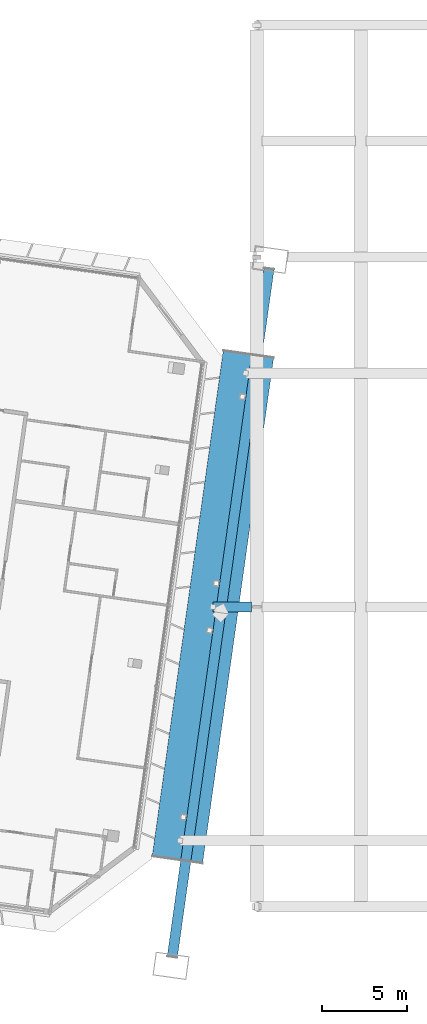
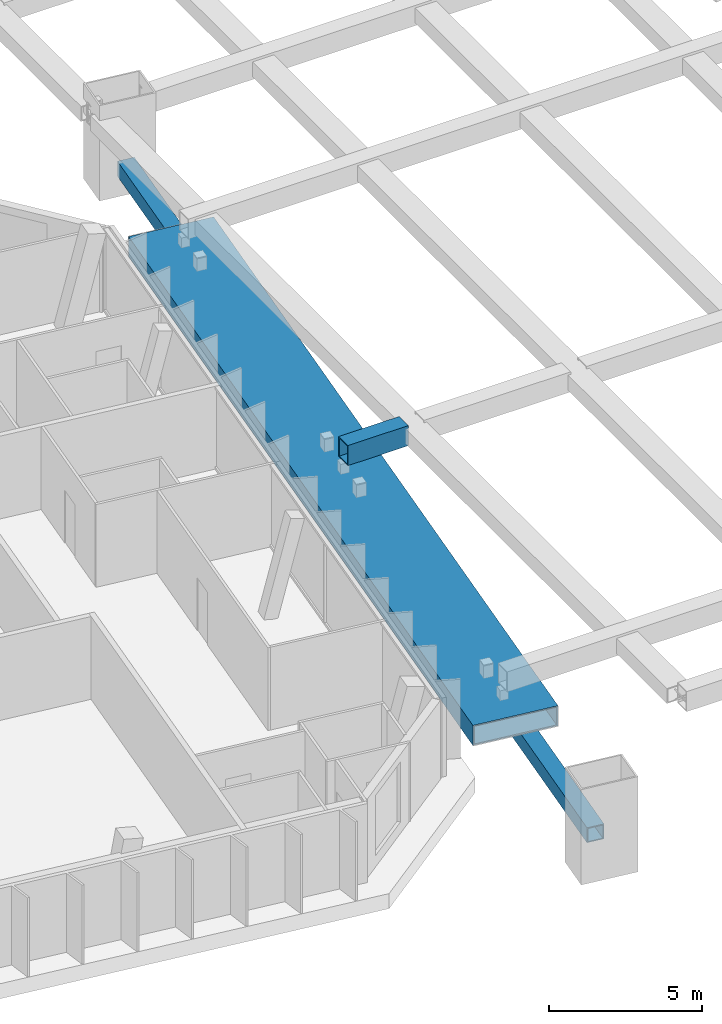
# One storey, part 7 of 36: 2 members, 1 beam.
"""IFC4 building model written with IfcOpenShell, lengths in metres."""

from ifc_helpers import new_model, si_unit, direction, frame, origin, origin_2d, place, context, subcontext, project, spatial, hollow_rectangle, extrude, material, material_profile, profile_set, type_object, element, save


model = new_model("IFC4")

# Units and contexts
model_context = context("Model", 3, precision=1e-05, world=origin(), true_north=direction((0.0, 1.0)))
body_context = subcontext(model_context, "Body", "Model", "MODEL_VIEW")
ifc_project = project(units=[si_unit("LENGTHUNIT", "METRE"), si_unit("AREAUNIT", "SQUARE_METRE"), si_unit("VOLUMEUNIT", "CUBIC_METRE"), si_unit("PLANEANGLEUNIT", "RADIAN"), si_unit("MASSUNIT", "GRAM", prefix="KILO")], contexts=[model_context])

# Site, building, storey
site_placement = place(None, origin())
site = spatial("IfcSite", under=ifc_project, at=site_placement, CompositionType="ELEMENT")
building_placement = place(site_placement, origin())
building = spatial("IfcBuilding", under=site, at=building_placement, Name="Mirante Cascada Hotel Towers", CompositionType="ELEMENT")
storey_placement = place(building_placement, frame((0.0, 0.0, 254.6)))
storey = spatial("IfcBuildingStorey", under=building, at=storey_placement, Name="L61", CompositionType="ELEMENT", Elevation=254.6)

# Members
ifc_material_1 = material(Name="Steel ASTM A572 Gr 50", Category="steel")
ifc_material_profile_1 = material_profile(ifc_material_1, hollow_rectangle(XDim=0.6, YDim=0.6, WallThickness=0.04, at=origin_2d()), Name="Box chord 600x600x40 ASTM A572 Gr 50")
ifc_profile_set_1 = profile_set([ifc_material_profile_1], Name="Steel ASTM A572 Gr 50")
member_type_1 = type_object("IfcMemberType", Name="Box chord 600x600x40 ASTM A572 Gr 50", PredefinedType="CHORD", material=ifc_profile_set_1)
member_1_placement = place(storey_placement, frame((-17.2227, -24.4669, 1.0), z_axis=(0.1391719, 0.9902682, 0.0), x_axis=(-0.9902682, 0.1391719, 0.0)))
element("IfcMember", 1, at=member_1_placement, inside=storey, type_object=member_type_1, Name="exochord T1 L61 1", PredefinedType="CHORD", context=body_context, shape_type="SweptSolid", body=[
    extrude(hollow_rectangle(XDim=0.6, YDim=0.6, WallThickness=0.04, at=origin_2d()), origin(), (0.0, 0.0, 1.0), 40.94),
])
ifc_material_2 = material(Name="Steel ASTM A572 Gr 50", Category="steel")
ifc_material_profile_2 = material_profile(ifc_material_2, hollow_rectangle(XDim=0.6, YDim=0.8, WallThickness=0.04, at=origin_2d()), Name="Box chord 800x600x40 ASTM A572 Gr 50")
ifc_profile_set_2 = profile_set([ifc_material_profile_2], Name="Steel ASTM A572 Gr 50")
member_type_2 = type_object("IfcMemberType", Name="Box chord 800x600x40 ASTM A572 Gr 50", PredefinedType="CHORD", material=ifc_profile_set_2)
member_2_placement = place(storey_placement, frame((-14.8302, -3.8505, 2.9), z_axis=(1.0, 0.0, 0.0), x_axis=(0.0, 1.0, 0.0)))
element("IfcMember", 2, at=member_2_placement, inside=storey, type_object=member_type_2, Name="dchord sky park L62 22", PredefinedType="CHORD", context=body_context, shape_type="SweptSolid", body=[
    extrude(hollow_rectangle(XDim=0.6, YDim=0.8, WallThickness=0.04, at=origin_2d()), origin(), (0.0, 0.0, 1.0), 2.2788),
])

# Beam
ifc_material_3 = material(Name="Steel ASTM A572 Gr 50", Category="steel")
ifc_material_profile_3 = material_profile(ifc_material_3, hollow_rectangle(XDim=3.0, YDim=0.8, WallThickness=0.05, at=origin_2d()), Name="Box seat shelf 800x3000x50 ASTM A572 Gr 50")
ifc_profile_set_3 = profile_set([ifc_material_profile_3], Name="Steel ASTM A572 Gr 50")
beam_type = type_object("IfcBeamType", Name="Box seat shelf 800x3000x50 ASTM A572 Gr 50", PredefinedType="BEAM", material=ifc_profile_set_3)
beam_placement = place(storey_placement, frame((-16.9193, -18.7153, 1.7), z_axis=(0.1391728, 0.9902681, 0.0), x_axis=(-0.9902681, 0.1391728, 0.0)))
element("IfcBeam", 3, at=beam_placement, inside=storey, type_object=beam_type, Name="Sliding seat shelf T1", PredefinedType="BEAM", context=body_context, shape_type="SweptSolid", body=[
    extrude(hollow_rectangle(XDim=3.0, YDim=0.8, WallThickness=0.05, at=origin_2d()), origin(), (0.0, 0.0, 1.0), 30.0217),
])

save(model, "model.ifc")
